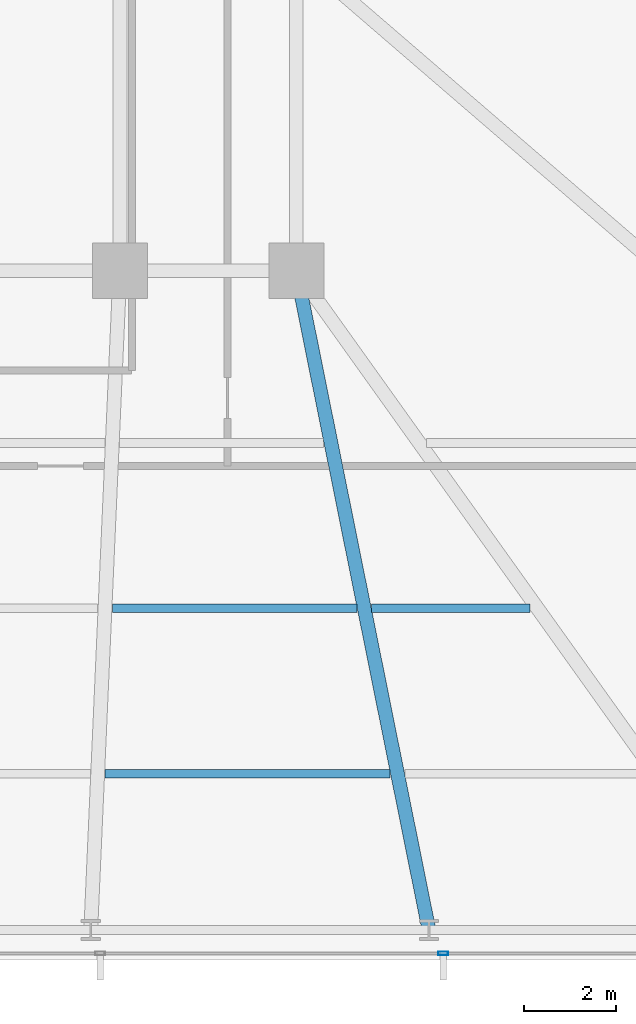
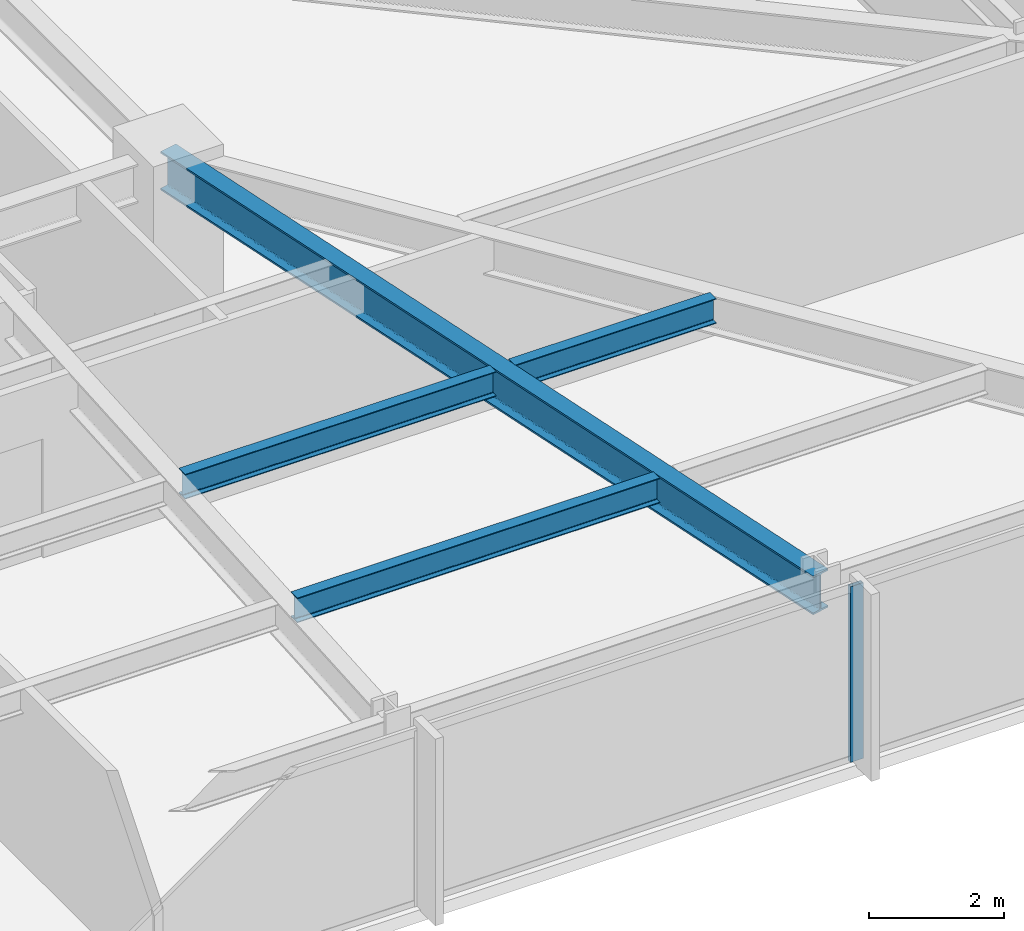
# One storey, part 14 of 33: 4 beams, 1 member, 1 element without a shape of its own.
"""IFC4 building model written with IfcOpenShell, lengths in metres."""

import ifcopenshell
import ifcopenshell.guid

model = None  # the IFC model being written
_history = None  # IfcOwnerHistory: only IFC2X3 demands one
_inside = {}  # id of a spatial element -> (the spatial element, [elements in it])
_under = {}  # id of a project, library or spatial element -> (it, [spatial elements below it])
_declared = {}  # id of a project -> (the project, [libraries it declares])
_typed = {}  # id of a type object -> (the type object, [elements of that type])
_made_of = {}  # id of a material, layer set ... -> (it, [elements and type objects made of it])


def new_model(schema):
    """Start an empty IFC model of exactly this schema.

    Asked for "IFC4X3", IfcOpenShell would pick the latest addendum, in which some entities
    have other attributes; the version numbers below select the first issue.
    IFC2X3 requires an IfcOwnerHistory on every rooted entity: one is made here for all.
    """
    global model, _history
    if schema == "IFC4X3":
        model = ifcopenshell.file(schema_version=(4, 3, 0, 0))
    else:
        model = ifcopenshell.file(schema=schema)
    _inside.clear()
    _under.clear()
    _declared.clear()
    _typed.clear()
    _made_of.clear()
    _history = None
    if model.schema == "IFC2X3":
        org = make("IfcOrganization", Name="unknown")
        user = make(
            "IfcPersonAndOrganization",
            ThePerson=make("IfcPerson", FamilyName="unknown"),
            TheOrganization=org,
        )
        app = make(
            "IfcApplication",
            ApplicationDeveloper=org,
            Version="unknown",
            ApplicationFullName="unknown",
            ApplicationIdentifier="unknown",
        )
        _history = make(
            "IfcOwnerHistory",
            OwningUser=user,
            OwningApplication=app,
            ChangeAction="ADDED",
            CreationDate=0,
        )
    return model


def make(cls, **values):
    """One entity of the class cls with the attributes given. An attribute that is None is left unset."""
    return model.create_entity(
        cls, **{name: value for name, value in values.items() if value is not None}
    )


def rooted(cls, **values):
    """An entity with a GlobalId (a new one), such as an element, a storey or a relation."""
    return make(cls, GlobalId=ifcopenshell.guid.new(), OwnerHistory=_history, **values)


def si_unit(unit_type, name, prefix=None):
    """IfcSIUnit, for example si_unit("LENGTHUNIT", "METRE", prefix="MILLI")."""
    return make("IfcSIUnit", UnitType=unit_type, Prefix=prefix, Name=name)


def assignment(units):
    """IfcUnitAssignment: the units of a project."""
    return None if units is None else make("IfcUnitAssignment", Units=units)


def point(xyz):
    """IfcCartesianPoint."""
    return None if xyz is None else make("IfcCartesianPoint", Coordinates=xyz)


def direction(xyz):
    """IfcDirection."""
    return None if xyz is None else make("IfcDirection", DirectionRatios=xyz)


def frame(location, z_axis=None, x_axis=None):
    """IfcAxis2Placement3D, a coordinate frame: its origin and axes. An axis left out is left unset."""
    return make(
        "IfcAxis2Placement3D",
        Location=point(location),
        Axis=direction(z_axis),
        RefDirection=direction(x_axis),
    )


def frame_2d(location, x_axis=None):
    """IfcAxis2Placement2D, a coordinate frame in the plane: its origin and x axis."""
    return make(
        "IfcAxis2Placement2D", Location=point(location), RefDirection=direction(x_axis)
    )


def origin():
    """The frame at (0, 0, 0) with its axes left unset."""
    return frame((0.0, 0.0, 0.0))


def origin_2d():
    """The frame at (0, 0) in the plane with its x axis left unset."""
    return frame_2d((0.0, 0.0))


def place(relative_to, where):
    """IfcLocalPlacement: puts the frame where relative to a parent placement (None: the world)."""
    return make(
        "IfcLocalPlacement", PlacementRelTo=relative_to, RelativePlacement=where
    )


def context(
    kind, dimensions, precision=None, world=None, true_north=None, identifier=None
):
    """IfcGeometricRepresentationContext, for example the 3D "Model" context."""
    return make(
        "IfcGeometricRepresentationContext",
        ContextIdentifier=identifier,
        ContextType=kind,
        CoordinateSpaceDimension=dimensions,
        Precision=precision,
        WorldCoordinateSystem=world,
        TrueNorth=true_north,
    )


def subcontext(parent, identifier, kind, view, scale=None):
    """IfcGeometricRepresentationSubContext, for example "Body" below "Model"."""
    return make(
        "IfcGeometricRepresentationSubContext",
        ContextIdentifier=identifier,
        ContextType=kind,
        ParentContext=parent,
        TargetScale=scale,
        TargetView=view,
    )


def project(units=None, contexts=None):
    """IfcProject with its units and contexts."""
    return rooted(
        "IfcProject",
        Name="project",
        RepresentationContexts=contexts,
        UnitsInContext=assignment(units),
    )


def spatial(cls, under=None, at=None, **own):
    """A site, building, storey or space (cls), placed at a placement, below another one or the project."""
    s = rooted(cls, ObjectPlacement=at, **own)
    if under is not None:
        _under.setdefault(under.id(), (under, []))[1].append(s)
    return s


def profile(cls, at=None, kind="AREA", **sizes):
    """A parametric profile (cls). Its sizes go by their IFC names, for example OverallWidth=200.0."""
    return make(cls, ProfileType=kind, Position=at, **sizes)


def hollow_rectangle(**sizes):
    """IfcRectangleHollowProfileDef."""
    return profile("IfcRectangleHollowProfileDef", **sizes)


def i_section(**sizes):
    """IfcIShapeProfileDef."""
    return profile("IfcIShapeProfileDef", **sizes)


def extrude(swept, where, along, depth):
    """IfcExtrudedAreaSolid: the profile swept, set in the frame where, extruded along a direction by depth."""
    return make(
        "IfcExtrudedAreaSolid",
        SweptArea=swept,
        Position=where,
        ExtrudedDirection=direction(along),
        Depth=depth,
    )


def shape(context_of_items, identifier, shape_type, items):
    """IfcShapeRepresentation: the items that make up one representation, for example the "Body"."""
    return make(
        "IfcShapeRepresentation",
        ContextOfItems=context_of_items,
        RepresentationIdentifier=identifier,
        RepresentationType=shape_type,
        Items=items,
    )


def material(Name=None, Category=None):
    """IfcMaterial."""
    return make("IfcMaterial", Name=Name, Category=Category)


def material_profile(
    of_material, cross_section, Name=None, Category=None, Priority=None
):
    """IfcMaterialProfile: a cross section and its material."""
    return make(
        "IfcMaterialProfile",
        Name=Name,
        Material=of_material,
        Profile=cross_section,
        Priority=Priority,
        Category=Category,
    )


def profile_set(profiles, Name=None, composite=None):
    """IfcMaterialProfileSet."""
    return make(
        "IfcMaterialProfileSet",
        Name=Name,
        MaterialProfiles=profiles,
        CompositeProfile=composite,
    )


def made_of(thing, what):
    """Note that an element or type object is made of a material, layer set ...; save() writes the relation."""
    if what is not None:
        _made_of.setdefault(what.id(), (what, []))[1].append(thing)
    return thing


def type_object(cls, material=None, **own):
    """A type object (cls), such as IfcWallType, which elements share."""
    return made_of(rooted(cls, **own), material)


def element(
    cls,
    number,
    at=None,
    inside=None,
    cuts=None,
    type_object=None,
    material=None,
    context=None,
    identifier="Body",
    shape_type=None,
    held_by="IfcProductDefinitionShape",
    body=None,
    shapes=None,
    **own,
):
    """One element of the class cls, such as IfcWall. Its Tag is "e" and its number.

    at: its placement. inside: the storey or other place that contains it. cuts: it is an
    opening in that element (IfcRelVoidsElement). A single representation is given by context,
    identifier, shape_type and body (its items); several are given by shapes. held_by: the class
    of the entity that holds the representations. save() writes the other relations.
    """
    e = rooted(cls, Tag="e%d" % number, ObjectPlacement=at, **own)
    if body is not None:
        shapes = [shape(context, identifier, shape_type, body)]
    if shapes is not None:
        e.Representation = make(held_by, Representations=shapes)
    if inside is not None:
        _inside.setdefault(inside.id(), (inside, []))[1].append(e)
    if cuts is not None:
        rooted(
            "IfcRelVoidsElement", RelatingBuildingElement=cuts, RelatedOpeningElement=e
        )
    if type_object is not None:
        _typed.setdefault(type_object.id(), (type_object, []))[1].append(e)
    return made_of(e, material)


def aggregate(whole, parts):
    """IfcRelAggregates: a whole, such as a stair, and the parts it consists of."""
    return rooted("IfcRelAggregates", RelatingObject=whole, RelatedObjects=parts)


def save(model, path):
    """Write the relations noted so far, then the file.

    IfcRelAggregates (storeys below a building ...), IfcRelContainedInSpatialStructure (elements
    in a storey), IfcRelDefinesByType, IfcRelAssociatesMaterial and IfcRelDeclares: one each for
    every whole, place, type object, material and project.
    """
    for whole, parts in _under.values():
        aggregate(whole, parts)
    for where, things in _inside.values():
        rooted(
            "IfcRelContainedInSpatialStructure",
            RelatedElements=things,
            RelatingStructure=where,
        )
    for kind, things in _typed.values():
        rooted("IfcRelDefinesByType", RelatedObjects=things, RelatingType=kind)
    for what, things in _made_of.values():
        rooted("IfcRelAssociatesMaterial", RelatedObjects=things, RelatingMaterial=what)
    for by, libraries in _declared.values():
        rooted("IfcRelDeclares", RelatingContext=by, RelatedDefinitions=libraries)
    model.write(path)


model = new_model("IFC4")

# Units and contexts
model_context = context("Model", 3, precision=1e-05, world=origin(), true_north=direction((0.0, 1.0)))
body_context = subcontext(model_context, "Body", "Model", "MODEL_VIEW")
ifc_project = project(units=[si_unit("LENGTHUNIT", "METRE"), si_unit("AREAUNIT", "SQUARE_METRE"), si_unit("VOLUMEUNIT", "CUBIC_METRE"), si_unit("PLANEANGLEUNIT", "RADIAN"), si_unit("MASSUNIT", "GRAM", prefix="KILO")], contexts=[model_context])

# Site, building, storey
site_placement = place(None, origin())
site = spatial("IfcSite", under=ifc_project, at=site_placement, CompositionType="ELEMENT")
building_placement = place(site_placement, origin())
building = spatial("IfcBuilding", under=site, at=building_placement, Name="Yelkora Congress Tower", CompositionType="ELEMENT")
storey_placement = place(building_placement, frame((0.0, 0.0, 37.199951171875)))
storey = spatial("IfcBuildingStorey", under=building, at=storey_placement, Name="L08", CompositionType="ELEMENT", Elevation=37.199951171875)

# Beams
ifc_material_1 = material(Name="Steel S355J2", Category="steel")
ifc_material_profile_1 = material_profile(ifc_material_1, i_section(OverallWidth=0.300048828125, OverallDepth=0.699951171875, WebThickness=0.01708984375, FlangeThickness=0.031982421875, FilletRadius=0.027099609375, at=origin_2d()), Name="HEB 700")
ifc_profile_set_1 = profile_set([ifc_material_profile_1], Name="Steel S355J2")
beam_type_1 = type_object("IfcBeamType", Name="BM-GIRD-HEB700", PredefinedType="BEAM", material=ifc_profile_set_1)
beam_1_placement = place(storey_placement, frame((60.487548828125, 10.85009765625, 2.830078125), z_axis=(-0.197264295931, 0.980350344291, 0.0), x_axis=(-0.980350344291, -0.197264295931, 0.0)))
element("IfcBeam", 1, at=beam_1_placement, inside=storey, type_object=beam_type_1, Name="L08 Primary Frame Girder S08", PredefinedType="BEAM", context=body_context, shape_type="SweptSolid", body=[
    extrude(i_section(OverallWidth=0.300048828125, OverallDepth=0.699951171875, WebThickness=0.01708984375, FlangeThickness=0.031982421875, FilletRadius=0.027099609375, at=origin_2d()), origin(), (0.0, 0.0, 1.0), 14.637451171875),
])
ifc_material_profile_2 = material_profile(ifc_material_1, i_section(OverallWidth=0.18994140625, OverallDepth=0.449951171875, WebThickness=0.009521484375, FlangeThickness=0.0146484375, FilletRadius=0.02099609375, at=origin_2d()), Name="IPE 450")
ifc_profile_set_2 = profile_set([ifc_material_profile_2], Name="Steel S355J2")
beam_type_2 = type_object("IfcBeamType", Name="BM-JOIST-IPE450", PredefinedType="JOIST", material=ifc_profile_set_2)
beam_2_placement = place(storey_placement, frame((53.435546875, 14.25, 2.955078125), z_axis=(1.0, 0.0, 0.0), x_axis=(0.0, 1.0, 0.0)))
element("IfcBeam", 2, at=beam_2_placement, inside=storey, type_object=beam_type_2, Name="L08 Composite Floor Joist 7", PredefinedType="JOIST", context=body_context, shape_type="SweptSolid", body=[
    extrude(i_section(OverallWidth=0.18994140625, OverallDepth=0.449951171875, WebThickness=0.009521484375, FlangeThickness=0.0146484375, FilletRadius=0.02099609375, at=origin_2d()), origin(), (0.0, 0.0, 1.0), 6.207763671875),
])
beam_3_placement = place(storey_placement, frame((53.5947265625, 17.85009765625, 2.955078125), z_axis=(1.0, 0.0, 0.0), x_axis=(0.0, 1.0, 0.0)))
element("IfcBeam", 3, at=beam_3_placement, inside=storey, type_object=beam_type_2, Name="L08 Composite Floor Joist 15", PredefinedType="JOIST", context=body_context, shape_type="SweptSolid", body=[
    extrude(i_section(OverallWidth=0.18994140625, OverallDepth=0.449951171875, WebThickness=0.009521484375, FlangeThickness=0.0146484375, FilletRadius=0.02099609375, at=origin_2d()), origin(), (0.0, 0.0, 1.0), 5.32421875),
])
beam_4_placement = place(storey_placement, frame((59.239013671875, 17.85009765625, 2.955078125), z_axis=(1.0, 0.0, 0.0), x_axis=(0.0, 1.0, 0.0)))
element("IfcBeam", 4, at=beam_4_placement, inside=storey, type_object=beam_type_2, Name="L08 Composite Floor Joist 16", PredefinedType="JOIST", context=body_context, shape_type="SweptSolid", body=[
    extrude(i_section(OverallWidth=0.18994140625, OverallDepth=0.449951171875, WebThickness=0.009521484375, FlangeThickness=0.0146484375, FilletRadius=0.02099609375, at=origin_2d()), origin(), (0.0, 0.0, 1.0), 3.450927734375),
])

# Curtain wall, member
ifc_material_2 = material(Name="Anodised aluminium and insulated glass", Category="aluminium")
curtain_wall_type = type_object("IfcCurtainWallType", Name="CW-SYS-B1", PredefinedType="NOTDEFINED", material=ifc_material_2)
curtain_wall_placement = place(storey_placement, origin())
curtain_wall = element("IfcCurtainWall", 5, at=curtain_wall_placement, inside=storey, type_object=curtain_wall_type, Name="L08 Unitised Curtain Wall 20", PredefinedType="NOTDEFINED")
ifc_material_3 = material(Name="Anodised aluminium 6063-T6", Category="aluminium")
ifc_material_profile_3 = material_profile(ifc_material_3, hollow_rectangle(XDim=0.074951171875, YDim=0.219970703125, WallThickness=0.0048828125, at=origin_2d()), Name="ALU 75x220x5")
ifc_profile_set_3 = profile_set([ifc_material_profile_3], Name="Anodised aluminium 6063-T6")
member_type = type_object("IfcMemberType", Name="MEM-ML-B1", PredefinedType="MULLION", material=ifc_profile_set_3)
member_placement = place(storey_placement, frame((60.794921875, 10.340087890625, 0.0), z_axis=(0.0, 0.0, 1.0), x_axis=(0.0, -1.0, 0.0)))
member = element("IfcMember", 6, at=member_placement, type_object=member_type, Name="CW-B1 mullion 2", PredefinedType="MULLION", context=body_context, shape_type="SweptSolid", body=[
    extrude(hollow_rectangle(XDim=0.074951171875, YDim=0.219970703125, WallThickness=0.0048828125, at=origin_2d()), origin(), (0.0, 0.0, 1.0), 3.179931640625),
])
aggregate(curtain_wall, [member])

save(model, "model.ifc")
